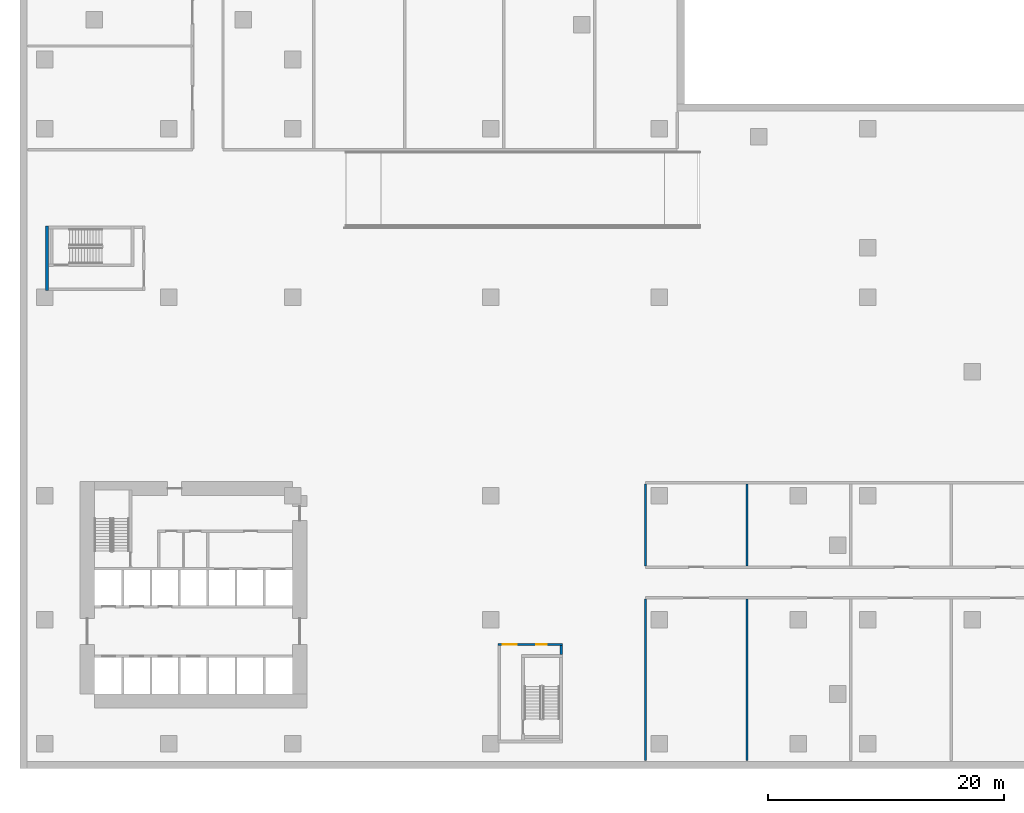
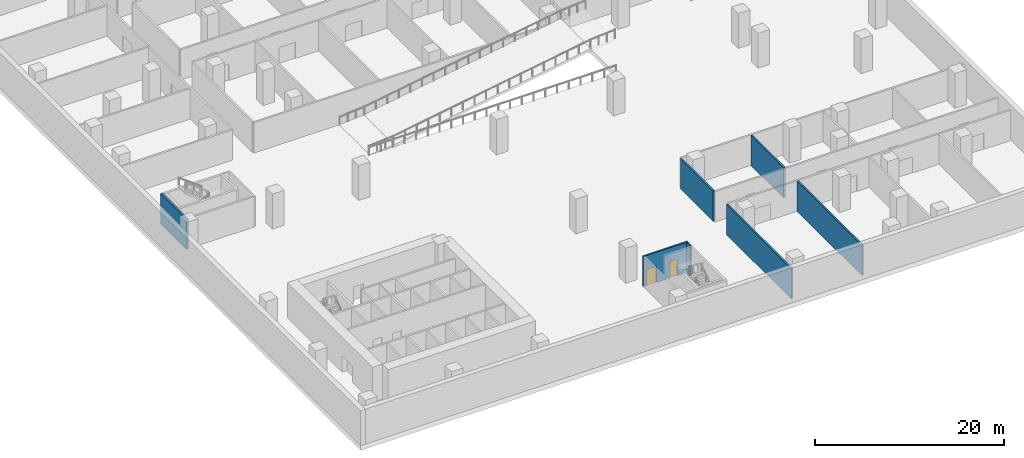
# One storey, part 4 of 12: 7 walls, 2 doors, 2 openings.
"""IFC4 building model written with IfcOpenShell, lengths in metres."""

from ifc_helpers import new_model, si_unit, direction, frame, frame_2d, origin, place, context, subcontext, project, spatial, rectangle, extrude, source, transform, mapped, material, layer, layer_set, type_object, element, fill, save


model = new_model("IFC4")

# Units and contexts
model_context = context("Model", 3, precision=1e-05, world=origin(), true_north=direction((0.0, 1.0)))
body_context = subcontext(model_context, "Body", "Model", "MODEL_VIEW")
ifc_project = project(units=[si_unit("LENGTHUNIT", "METRE"), si_unit("AREAUNIT", "SQUARE_METRE"), si_unit("VOLUMEUNIT", "CUBIC_METRE"), si_unit("PLANEANGLEUNIT", "RADIAN"), si_unit("MASSUNIT", "GRAM", prefix="KILO")], contexts=[model_context])

# Site, building, storey
site_placement = place(None, origin())
site = spatial("IfcSite", under=ifc_project, at=site_placement, CompositionType="ELEMENT")
building_placement = place(site_placement, origin())
building = spatial("IfcBuilding", under=site, at=building_placement, Name="Aurelian Terraces", CompositionType="ELEMENT")
storey_placement = place(building_placement, frame((0.0, 0.0, -9.0)))
storey = spatial("IfcBuildingStorey", under=building, at=storey_placement, Name="B2", CompositionType="ELEMENT", Elevation=-9.0)

# Wall, openings, doors
ifc_material_1 = material(Name="Gypsum board on steel studs", Category="steel")
ifc_layer_1 = layer(ifc_material_1, 0.2)
ifc_layer_set_1 = layer_set([ifc_layer_1], Name="Core partition 200")
wall_type_1 = type_object("IfcWallType", Name="Core partition 200", PredefinedType="PARTITIONING", material=ifc_layer_set_1)
shared_shape_1 = source(origin(), body_context, "Body", "SweptSolid", [
    extrude(rectangle(XDim=5.45, YDim=0.2, at=frame_2d((2.725, 0.0))), origin(), (0.0, 0.0, 1.0), 3.9),
])
wall_1_placement = place(storey_placement, frame((38.4, 8.4, 0.0), z_axis=(0.0, 0.0, 1.0), x_axis=(1.0, 0.0, 0.0)))
wall_1 = element("IfcWall", 1, at=wall_1_placement, inside=storey, type_object=wall_type_1, Name="B2 core wall ST-S2-BN", PredefinedType="PARTITIONING", context=body_context, shape_type="MappedRepresentation", body=[
    mapped(shared_shape_1, transform((0.0, 0.0, 0.0), scale=1.0)),
])
shared_shape_2 = source(origin(), body_context, "Body", "SweptSolid", [
    extrude(rectangle(XDim=1.2, YDim=2.1, at=frame_2d((0.6, 1.05))), frame((0.0, 0.11, 0.0), z_axis=(0.0, -1.0, 0.0), x_axis=(1.0, 0.0, 0.0)), (0.0, 0.0, 1.0), 0.22),
])
opening_1_placement = place(wall_1_placement, frame((0.4, 0.0, 0.0)))
opening_1 = element("IfcOpeningElement", 2, at=opening_1_placement, cuts=wall_1, Name="Opening 60115", PredefinedType="OPENING", context=body_context, shape_type="MappedRepresentation", body=[
    mapped(shared_shape_2, transform((0.0, 0.0, 0.0), scale=1.0)),
])
shared_shape_3 = source(origin(), body_context, "Body", "SweptSolid", [
    extrude(rectangle(XDim=0.9, YDim=2.1, at=frame_2d((0.45, 1.05))), frame((0.0, 0.11, 0.0), z_axis=(0.0, -1.0, 0.0), x_axis=(1.0, 0.0, 0.0)), (0.0, 0.0, 1.0), 0.22),
])
opening_2_placement = place(wall_1_placement, frame((3.25, 0.0, 0.0)))
opening_2 = element("IfcOpeningElement", 3, at=opening_2_placement, cuts=wall_1, Name="Opening 60116", PredefinedType="OPENING", context=body_context, shape_type="MappedRepresentation", body=[
    mapped(shared_shape_3, transform((0.0, 0.0, 0.0), scale=1.0)),
])
ifc_material_2 = material(Name="Steel door leaf", Category="steel")
door_type_1 = type_object("IfcDoorType", Name="Core riser door 900x2100 right", OperationType="SINGLE_SWING_RIGHT", PredefinedType="DOOR", material=ifc_material_2)
shared_shape_4 = source(origin(), body_context, "Body", "SweptSolid", [
    extrude(rectangle(XDim=0.9, YDim=2.1, at=frame_2d((0.45, 1.05))), frame((0.0, 0.025, 0.0), z_axis=(0.0, -1.0, 0.0), x_axis=(1.0, 0.0, 0.0)), (0.0, 0.0, 1.0), 0.05),
])
door_1_placement = place(opening_2_placement, origin())
door_1 = element("IfcDoor", 4, at=door_1_placement, inside=storey, type_object=door_type_1, Name="Riser door 60116", OperationType="SINGLE_SWING_RIGHT", OverallHeight=2.1, OverallWidth=0.9, PredefinedType="DOOR", context=body_context, shape_type="MappedRepresentation", body=[
    mapped(shared_shape_4, transform((0.0, 0.0, 0.0), scale=1.0)),
])
fill(opening_2, door_1)
door_type_2 = type_object("IfcDoorType", Name="Core fire door 1200x2100", OperationType="SINGLE_SWING_LEFT", PredefinedType="DOOR", material=ifc_material_2)
shared_shape_5 = source(origin(), body_context, "Body", "SweptSolid", [
    extrude(rectangle(XDim=1.2, YDim=2.1, at=frame_2d((0.6, 1.05))), frame((0.0, 0.025, 0.0), z_axis=(0.0, -1.0, 0.0), x_axis=(1.0, 0.0, 0.0)), (0.0, 0.0, 1.0), 0.05),
])
door_2_placement = place(opening_1_placement, origin())
door_2 = element("IfcDoor", 5, at=door_2_placement, inside=storey, type_object=door_type_2, Name="Vestibule door 60115", OperationType="SINGLE_SWING_LEFT", OverallHeight=2.1, OverallWidth=1.2, PredefinedType="DOOR", context=body_context, shape_type="MappedRepresentation", body=[
    mapped(shared_shape_5, transform((0.0, 0.0, 0.0), scale=1.0)),
])
fill(opening_1, door_2)

# Walls
shared_shape_6 = source(origin(), body_context, "Body", "SweptSolid", [
    extrude(rectangle(XDim=0.75, YDim=0.2, at=frame_2d((0.375, 0.0))), origin(), (0.0, 0.0, 1.0), 3.9),
])
wall_2_placement = place(storey_placement, frame((43.75, 7.55, 0.0), z_axis=(0.0, 0.0, 1.0), x_axis=(0.0, 1.0, 0.0)))
element("IfcWall", 6, at=wall_2_placement, inside=storey, type_object=wall_type_1, Name="B2 core wall ST-S2-RE", PredefinedType="PARTITIONING", context=body_context, shape_type="MappedRepresentation", body=[
    mapped(shared_shape_6, transform((0.0, 0.0, 0.0), scale=1.0)),
])
ifc_material_3 = material(Name="Concrete fc' 40 MPa", Category="concrete")
ifc_layer_2 = layer(ifc_material_3, 0.25)
ifc_layer_set_2 = layer_set([ifc_layer_2], Name="Stair enclosure wall 250")
wall_type_2 = type_object("IfcWallType", Name="Stair enclosure wall 250", PredefinedType="SOLIDWALL", material=ifc_layer_set_2)
shared_shape_7 = source(origin(), body_context, "Body", "SweptSolid", [
    extrude(rectangle(XDim=5.45, YDim=0.25, at=frame_2d((2.725, 0.0))), origin(), (0.0, 0.0, 1.0), 3.9),
])
wall_3_placement = place(storey_placement, frame((0.175, 38.4, 0.0), z_axis=(0.0, 0.0, 1.0), x_axis=(0.0, 1.0, 0.0)))
element("IfcWall", 7, at=wall_3_placement, inside=storey, type_object=wall_type_2, Name="B2 core wall ST-S3-S", PredefinedType="SOLIDWALL", context=body_context, shape_type="MappedRepresentation", body=[
    mapped(shared_shape_7, transform((0.0, 0.0, 0.0), scale=1.0)),
])
ifc_layer_3 = layer(ifc_material_1, 0.2)
ifc_layer_set_3 = layer_set([ifc_layer_3], Name="Basement partition 200")
wall_type_3 = type_object("IfcWallType", Name="Basement partition 200", PredefinedType="PARTITIONING", material=ifc_layer_set_3)
shared_shape_8 = source(origin(), body_context, "Body", "SweptSolid", [
    extrude(rectangle(XDim=13.69, YDim=0.2, at=frame_2d((6.845, 0.0))), origin(), (0.0, 0.0, 1.0), 3.9),
])
for number, where, z_axis, x_axis, name in (
    (8, (50.9, -1.44, 0.0), (0.0, 0.0, 1.0), (0.0, 1.0, 0.0), "B2 partition 029"),
    (9, (59.5, -1.44, 0.0), (0.0, 0.0, 1.0), (0.0, 1.0, 0.0), "B2 partition 032"),
):
    element("IfcWall", number, at=place(storey_placement, frame(where, z_axis=z_axis, x_axis=x_axis)), inside=storey, type_object=wall_type_3, Name=name, PredefinedType="PARTITIONING", context=body_context, shape_type="MappedRepresentation", body=[
        mapped(shared_shape_8, transform((0.0, 0.0, 0.0), scale=1.0)),
    ])
shared_shape_9 = source(origin(), body_context, "Body", "SweptSolid", [
    extrude(rectangle(XDim=6.95, YDim=0.2, at=frame_2d((3.475, 0.0))), origin(), (0.0, 0.0, 1.0), 3.9),
])
for number, where, z_axis, x_axis, name in (
    (10, (50.9, 15.05, 0.0), (0.0, 0.0, 1.0), (0.0, 1.0, 0.0), "B2 partition 030"),
    (11, (59.5, 15.05, 0.0), (0.0, 0.0, 1.0), (0.0, 1.0, 0.0), "B2 partition 033"),
):
    element("IfcWall", number, at=place(storey_placement, frame(where, z_axis=z_axis, x_axis=x_axis)), inside=storey, type_object=wall_type_3, Name=name, PredefinedType="PARTITIONING", context=body_context, shape_type="MappedRepresentation", body=[
        mapped(shared_shape_9, transform((0.0, 0.0, 0.0), scale=1.0)),
    ])

save(model, "model.ifc")
